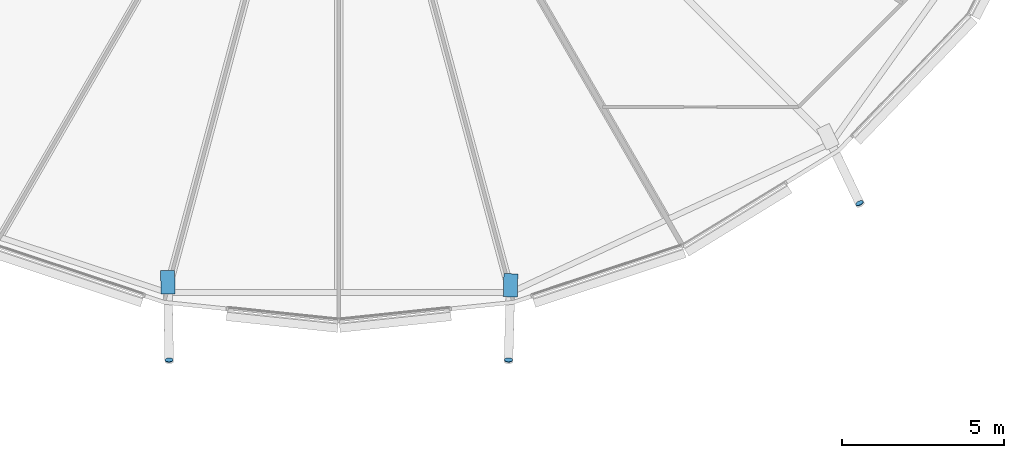
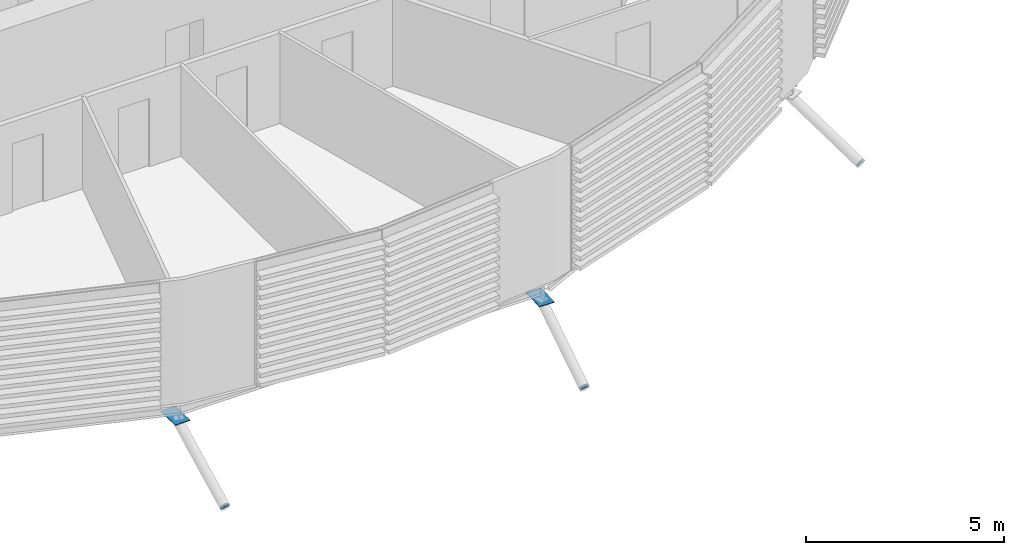
# One storey, part 27 of 38: 5 discrete accessories.
"""IFC4 building model written with IfcOpenShell, lengths in metres."""

from ifc_helpers import new_model, si_unit, direction, frame, origin, origin_2d, place, context, subcontext, project, spatial, polyline, rectangle, circle, outline, extrude, material, material_profile, profile_set, type_object, element, save


model = new_model("IFC4")

# Units and contexts
model_context = context("Model", 3, precision=1e-05, world=origin(), true_north=direction((0.0, 1.0)))
body_context = subcontext(model_context, "Body", "Model", "MODEL_VIEW")
ifc_project = project(units=[si_unit("LENGTHUNIT", "METRE"), si_unit("AREAUNIT", "SQUARE_METRE"), si_unit("VOLUMEUNIT", "CUBIC_METRE"), si_unit("PLANEANGLEUNIT", "RADIAN"), si_unit("MASSUNIT", "GRAM", prefix="KILO")], contexts=[model_context])

# Site, building, storey
site_placement = place(None, origin())
site = spatial("IfcSite", under=ifc_project, at=site_placement, CompositionType="ELEMENT")
building_placement = place(site_placement, origin())
building = spatial("IfcBuilding", under=site, at=building_placement, Name="Rimbun Link Towers", CompositionType="ELEMENT")
storey_placement = place(building_placement, frame((0.0, 0.0, 119.60009765625)))
storey = spatial("IfcBuildingStorey", under=building, at=storey_placement, Name="L29", CompositionType="ELEMENT", Elevation=119.60009765625)

# Discrete accessories
ifc_material_1 = material(Name="Steel S355J2H", Category="steel")
ifc_material_profile_1 = material_profile(ifc_material_1, circle(Radius=0.1240234375, at=origin_2d()), Name="PL D248")
ifc_profile_set_1 = profile_set([ifc_material_profile_1], Name="Steel S355J2H")
discrete_accessory_type_1 = type_object("IfcDiscreteAccessoryType", Name="Link foot sealing plate D248X20", PredefinedType="BRACKET", material=ifc_profile_set_1)
for number, where, z_axis, x_axis, name in (
    (1, (-36.977783203125, -21.86669921875, -2.177978515625), (0.024274991071, -0.873899678569, -0.485499821427), (0.999614420653, 0.02776706724, 0.0), "Link foot sealing plate T1 L29 17"),
    (2, (-26.518310546875, -21.86572265625, -2.169677734375), (-0.024534798922, -0.870985361746, -0.490695978449), (0.999603489279, -0.028157844768, 0.0), "Link foot sealing plate T1 L29 19"),
    (3, (-15.702392578125, -17.03173828125, -1.994873046875), (0.37994647125, -0.784405618065, -0.490253511291), (0.899981323824, 0.435928453727, 0.0), "Link foot sealing plate T1 L29 21"),
):
    element("IfcDiscreteAccessory", number, at=place(storey_placement, frame(where, z_axis=z_axis, x_axis=x_axis)), inside=storey, type_object=discrete_accessory_type_1, Name=name, PredefinedType="BRACKET", context=body_context, shape_type="SweptSolid", body=[
        extrude(circle(Radius=0.1240234375, at=origin_2d()), origin(), (0.0, 0.0, 1.0), 0.02001953125),
    ])
ifc_material_2 = material(Name="Steel S355J2H", Category="steel")
ifc_material_profile_2 = material_profile(ifc_material_2, rectangle(XDim=0.43310546875, YDim=0.43310546875, at=origin_2d()), Name="PL 433x433")
ifc_profile_set_2 = profile_set([ifc_material_profile_2], Name="Steel S355J2H")
discrete_accessory_type_2 = type_object("IfcDiscreteAccessoryType", Name="Link head end plate 433X20", PredefinedType="BRACKET", material=ifc_profile_set_2)
discrete_accessory_1_placement = place(storey_placement, frame((0.0, 0.0, -0.863525390625)))
element("IfcDiscreteAccessory", 4, at=discrete_accessory_1_placement, inside=storey, type_object=discrete_accessory_type_2, Name="Link head end plate T1 L29 17", PredefinedType="BRACKET", context=body_context, shape_type="SweptSolid", body=[
    extrude(outline(polyline([(-37.2421875, -19.11328125), (-37.2294921875, -19.84033203125), (-36.796630859375, -19.832763671875), (-36.809326171875, -19.105712890625), (-37.2421875, -19.11328125)])), origin(), (0.0, 0.0, 1.0), 0.02001953125),
])
discrete_accessory_2_placement = place(storey_placement, frame((0.0, 0.0, -0.863525390625)))
element("IfcDiscreteAccessory", 5, at=discrete_accessory_2_placement, inside=storey, type_object=discrete_accessory_type_2, Name="Link head end plate T1 L29 19", PredefinedType="BRACKET", context=body_context, shape_type="SweptSolid", body=[
    extrude(outline(polyline([(-26.662353515625, -19.2060546875), (-26.681884765625, -19.918212890625), (-26.2490234375, -19.93017578125), (-26.2294921875, -19.2177734375), (-26.662353515625, -19.2060546875)])), origin(), (0.0, 0.0, 1.0), 0.02001953125),
])

save(model, "model.ifc")
